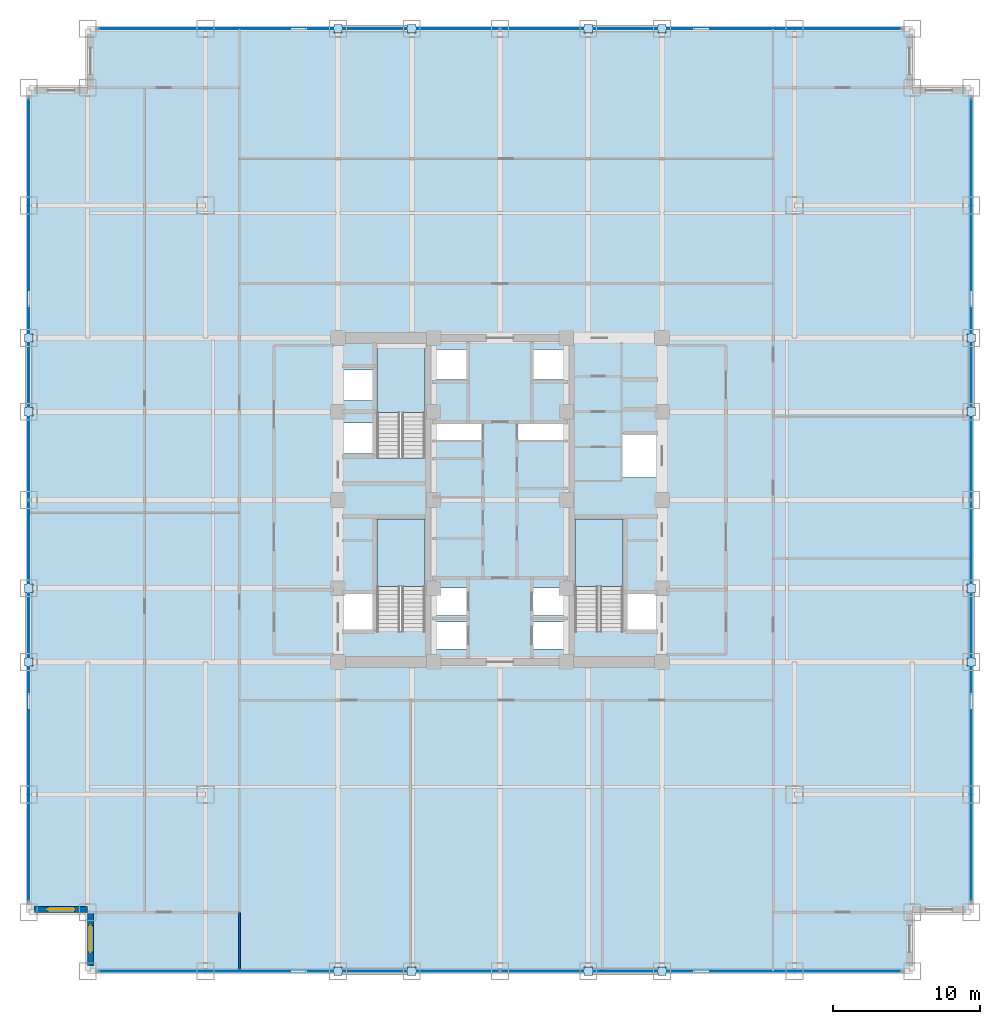
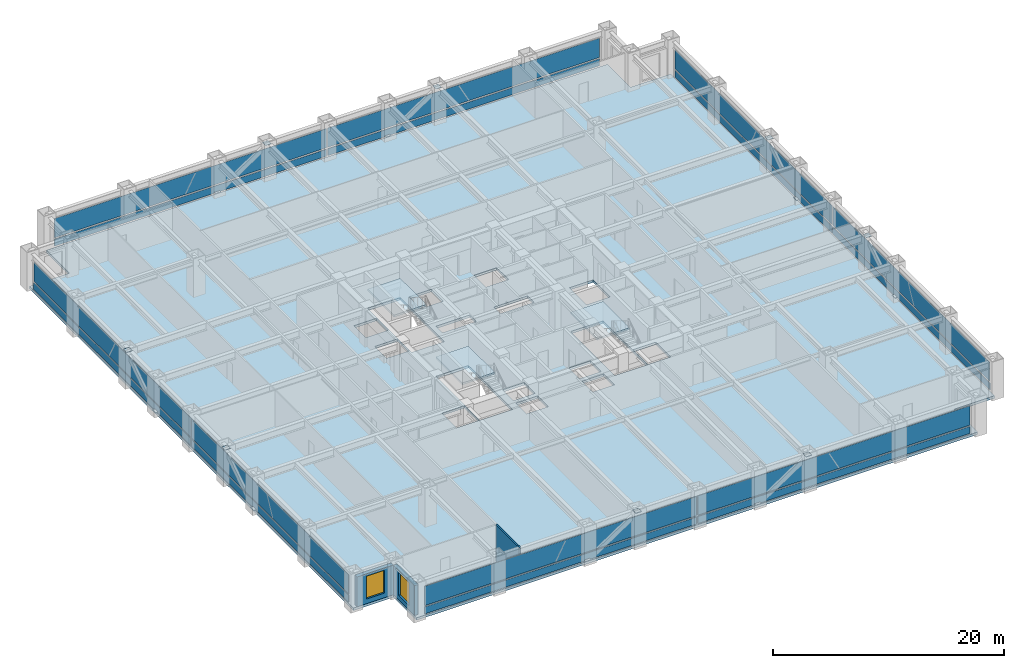
# One storey, part 22 of 27: 32 plates, 4 slabs, 3 walls, 2 windows, 2 openings, 7 elements without a shape of their own.
"""IFC4 building model written with IfcOpenShell, lengths in metres."""

from ifc_helpers import new_model, si_unit, direction, frame, frame_2d, origin, origin_2d, place, context, subcontext, project, spatial, polyline, rectangle, outline, extrude, source, transform, mapped, material, layer, layer_set, type_object, element, fill, aggregate, save


model = new_model("IFC4")

# Units and contexts
model_context = context("Model", 3, precision=1e-05, world=origin(), true_north=direction((0.0, 1.0)))
body_context = subcontext(model_context, "Body", "Model", "MODEL_VIEW")
ifc_project = project(units=[si_unit("LENGTHUNIT", "METRE"), si_unit("AREAUNIT", "SQUARE_METRE"), si_unit("VOLUMEUNIT", "CUBIC_METRE"), si_unit("PLANEANGLEUNIT", "RADIAN"), si_unit("MASSUNIT", "GRAM", prefix="KILO")], contexts=[model_context])

# Site, building, storey
site_placement = place(None, origin())
site = spatial("IfcSite", under=ifc_project, at=site_placement, CompositionType="ELEMENT")
building_placement = place(site_placement, origin())
building = spatial("IfcBuilding", under=site, at=building_placement, Name="Khorayat Bourse Tower", CompositionType="ELEMENT")
storey_placement = place(building_placement, frame((0.0, 0.0, 111.89990234375)))
storey = spatial("IfcBuildingStorey", under=building, at=storey_placement, Name="L25", CompositionType="ELEMENT", Elevation=111.89990234375)

# Stair, slab
ifc_material_1 = material(Name="Concrete C40/50", Category="concrete")
stair_type = type_object("IfcStairType", Name="STR-CORE-1550", PredefinedType="HALF_TURN_STAIR", material=ifc_material_1)
stair_1_placement = place(storey_placement, origin())
stair_1 = element("IfcStair", 1, at=stair_1_placement, inside=storey, type_object=stair_type, Name="L25 Exit Stair ST-1", PredefinedType="HALF_TURN_STAIR")
ifc_layer_1 = layer(ifc_material_1, 0.199951171875)
ifc_layer_set_1 = layer_set([ifc_layer_1], Name="Concrete C40/50")
slab_type_1 = type_object("IfcSlabType", Name="SLB-LANDING-200", PredefinedType="LANDING", material=ifc_layer_set_1)
slab_1_placement = place(storey_placement, frame((0.0, 0.0, 1.85009765625)))
slab_1 = element("IfcSlab", 2, at=slab_1_placement, type_object=slab_type_1, Name="ST-1 landing 1", PredefinedType="LANDING", context=body_context, shape_type="SweptSolid", body=[
    extrude(outline(polyline([(-5.10009765625, -5.8701171875), (-5.10009765625, -1.300048828125), (-8.35009765625, -1.300048828125), (-8.35009765625, -5.8701171875), (-5.10009765625, -5.8701171875)])), origin(), (0.0, 0.0, 1.0), 0.199951171875),
])
aggregate(stair_1, [slab_1])

stair_2_placement = place(storey_placement, origin())
stair_2 = element("IfcStair", 3, at=stair_2_placement, inside=storey, type_object=stair_type, Name="L25 Exit Stair ST-2", PredefinedType="HALF_TURN_STAIR")
slab_2_placement = place(storey_placement, frame((0.0, 0.0, 1.85009765625)))
slab_2 = element("IfcSlab", 4, at=slab_2_placement, type_object=slab_type_1, Name="ST-2 landing 1", PredefinedType="LANDING", context=body_context, shape_type="SweptSolid", body=[
    extrude(outline(polyline([(-5.10009765625, 5.929931640625), (-5.10009765625, 10.5), (-8.35009765625, 10.5), (-8.35009765625, 5.929931640625), (-5.10009765625, 5.929931640625)])), origin(), (0.0, 0.0, 1.0), 0.199951171875),
])
aggregate(stair_2, [slab_2])

stair_3_placement = place(storey_placement, origin())
stair_3 = element("IfcStair", 5, at=stair_3_placement, inside=storey, type_object=stair_type, Name="L25 Exit Stair ST-3", PredefinedType="HALF_TURN_STAIR")
slab_3_placement = place(storey_placement, frame((0.0, 0.0, 1.85009765625)))
slab_3 = element("IfcSlab", 6, at=slab_3_placement, type_object=slab_type_1, Name="ST-3 landing 1", PredefinedType="LANDING", context=body_context, shape_type="SweptSolid", body=[
    extrude(outline(polyline([(8.35009765625, -5.8701171875), (8.35009765625, -1.300048828125), (5.10009765625, -1.300048828125), (5.10009765625, -5.8701171875), (8.35009765625, -5.8701171875)])), origin(), (0.0, 0.0, 1.0), 0.199951171875),
])
aggregate(stair_3, [slab_3])

# Slab
ifc_layer_2 = layer(ifc_material_1, 0.260009765625)
ifc_layer_set_2 = layer_set([ifc_layer_2], Name="Concrete C40/50")
slab_type_2 = type_object("IfcSlabType", Name="SLB-TRADE-260", PredefinedType="FLOOR", material=ifc_layer_set_2)
slab_4_placement = place(storey_placement, frame((0.0, 0.0, -0.260009765625)))
element("IfcSlab", 7, at=slab_4_placement, inside=storey, type_object=slab_type_2, Name="L25 Main Floor Slab", PredefinedType="FLOOR", context=body_context, shape_type="SweptSolid", body=[
    extrude(outline(polyline([(-28.0, -32.0), (28.0, -32.0), (28.0, -28.0), (32.0, -28.0), (32.0, 28.0), (28.0, 28.0), (28.0, 32.0), (-28.0, 32.0), (-28.0, 28.0), (-32.0, 28.0), (-32.0, -28.0), (-28.0, -28.0), (-28.0, -32.0)]), holes=[polyline([(-8.35009765625, -8.945068359375), (-5.10009765625, -8.945068359375), (-5.10009765625, -1.300048828125), (-8.35009765625, -1.300048828125), (-8.35009765625, -8.945068359375)]), polyline([(-8.35009765625, 2.85498046875), (-5.10009765625, 2.85498046875), (-5.10009765625, 10.5), (-8.35009765625, 10.5), (-8.35009765625, 2.85498046875)]), polyline([(5.10009765625, -8.945068359375), (8.35009765625, -8.945068359375), (8.35009765625, -1.300048828125), (5.10009765625, -1.300048828125), (5.10009765625, -8.945068359375)]), polyline([(-4.3798828125, -10.1298828125), (-2.219970703125, -10.1298828125), (-2.219970703125, -8.27001953125), (-4.3798828125, -8.27001953125), (-4.3798828125, -10.1298828125)]), polyline([(2.219970703125, -10.1298828125), (4.3798828125, -10.1298828125), (4.3798828125, -8.27001953125), (2.219970703125, -8.27001953125), (2.219970703125, -10.1298828125)]), polyline([(-4.3798828125, -7.830078125), (-2.219970703125, -7.830078125), (-2.219970703125, -5.969970703125), (-4.3798828125, -5.969970703125), (-4.3798828125, -7.830078125)]), polyline([(2.219970703125, -7.830078125), (4.3798828125, -7.830078125), (4.3798828125, -5.969970703125), (2.219970703125, -5.969970703125), (2.219970703125, -7.830078125)]), polyline([(-4.3798828125, 8.169921875), (-2.1201171875, 8.169921875), (-2.1201171875, 10.22998046875), (-4.3798828125, 10.22998046875), (-4.3798828125, 8.169921875)]), polyline([(2.1201171875, 8.169921875), (4.3798828125, 8.169921875), (4.3798828125, 10.22998046875), (2.1201171875, 10.22998046875), (2.1201171875, 8.169921875)]), polyline([(-10.679931640625, 3.169921875), (-8.419921875, 3.169921875), (-8.419921875, 5.22998046875), (-10.679931640625, 5.22998046875), (-10.679931640625, 3.169921875)]), polyline([(-10.679931640625, 6.77001953125), (-8.419921875, 6.77001953125), (-8.419921875, 8.830078125), (-10.679931640625, 8.830078125), (-10.679931640625, 6.77001953125)]), polyline([(-10.679931640625, -8.929931640625), (-8.419921875, -8.929931640625), (-8.419921875, -6.3701171875), (-10.679931640625, -6.3701171875), (-10.679931640625, -8.929931640625)]), polyline([(8.419921875, -8.929931640625), (10.679931640625, -8.929931640625), (10.679931640625, -6.3701171875), (8.419921875, -6.3701171875), (8.419921875, -8.929931640625)]), polyline([(8.320068359375, 1.52001953125), (10.679931640625, 1.52001953125), (10.679931640625, 4.47998046875), (8.320068359375, 4.47998046875), (8.320068359375, 1.52001953125)]), polyline([(-4.56005859375, 4.080078125), (-1.18994140625, 4.080078125), (-1.18994140625, 5.219970703125), (-4.56005859375, 5.219970703125), (-4.56005859375, 4.080078125)]), polyline([(1.18994140625, 4.080078125), (4.56005859375, 4.080078125), (4.56005859375, 5.219970703125), (1.18994140625, 5.219970703125), (1.18994140625, 4.080078125)])]), origin(), (0.0, 0.0, 1.0), 0.260009765625),
])

# Plates
ifc_material_2 = material(Name="Steel EN 10025-2 S355J2", Category="steel")
ifc_layer_3 = layer(ifc_material_2, 0.02490234375)
ifc_layer_set_3 = layer_set([ifc_layer_3], Name="Steel EN 10025-2 S355J2")
plate_type_1 = type_object("IfcPlateType", Name="PLT-ENDCAP-25", PredefinedType="SHEET", material=ifc_layer_set_3)
shared_shape_1 = source(origin(), body_context, "Body", "SweptSolid", [
    extrude(rectangle(XDim=0.56005859375, YDim=0.56005859375, at=origin_2d()), origin(), (0.0, 0.0, 1.0), 0.02490234375),
])
for number, where, z_axis, x_axis, name in (
    (8, (-11.0, -32.0, 0.237548828125), (0.0, 0.0, 1.0), (1.0, 0.0, 0.0), "L25 Perimeter Brace End Plate 001"),
    (9, (-6.0, -32.0, 3.57763671875), (0.0, 0.0, 1.0), (1.0, 0.0, 0.0), "L25 Perimeter Brace End Plate 002"),
    (10, (6.0, -32.0, 0.237548828125), (0.0, 0.0, 1.0), (1.0, 0.0, 0.0), "L25 Perimeter Brace End Plate 003"),
    (11, (11.0, -32.0, 3.57763671875), (0.0, 0.0, 1.0), (1.0, 0.0, 0.0), "L25 Perimeter Brace End Plate 004"),
    (12, (-11.0, 32.0, 0.237548828125), (0.0, 0.0, 1.0), (1.0, 0.0, 0.0), "L25 Perimeter Brace End Plate 005"),
    (13, (-6.0, 32.0, 3.57763671875), (0.0, 0.0, 1.0), (1.0, 0.0, 0.0), "L25 Perimeter Brace End Plate 006"),
    (14, (6.0, 32.0, 0.237548828125), (0.0, 0.0, 1.0), (1.0, 0.0, 0.0), "L25 Perimeter Brace End Plate 007"),
    (15, (11.0, 32.0, 3.57763671875), (0.0, 0.0, 1.0), (1.0, 0.0, 0.0), "L25 Perimeter Brace End Plate 008"),
    (16, (-32.0, -11.0, 0.237548828125), (0.0, 0.0, 1.0), (1.0, 0.0, 0.0), "L25 Perimeter Brace End Plate 009"),
    (17, (-32.0, -6.0, 3.57763671875), (0.0, 0.0, 1.0), (1.0, 0.0, 0.0), "L25 Perimeter Brace End Plate 010"),
    (18, (-32.0, 6.0, 0.237548828125), (0.0, 0.0, 1.0), (1.0, 0.0, 0.0), "L25 Perimeter Brace End Plate 011"),
    (19, (-32.0, 11.0, 3.57763671875), (0.0, 0.0, 1.0), (1.0, 0.0, 0.0), "L25 Perimeter Brace End Plate 012"),
    (20, (32.0, -11.0, 0.237548828125), (0.0, 0.0, 1.0), (1.0, 0.0, 0.0), "L25 Perimeter Brace End Plate 013"),
    (21, (32.0, -6.0, 3.57763671875), (0.0, 0.0, 1.0), (1.0, 0.0, 0.0), "L25 Perimeter Brace End Plate 014"),
    (22, (32.0, 6.0, 0.237548828125), (0.0, 0.0, 1.0), (1.0, 0.0, 0.0), "L25 Perimeter Brace End Plate 015"),
    (23, (32.0, 11.0, 3.57763671875), (0.0, 0.0, 1.0), (1.0, 0.0, 0.0), "L25 Perimeter Brace End Plate 016"),
):
    element("IfcPlate", number, at=place(storey_placement, frame(where, z_axis=z_axis, x_axis=x_axis)), inside=storey, type_object=plate_type_1, Name=name, PredefinedType="SHEET", context=body_context, shape_type="MappedRepresentation", body=[
        mapped(shared_shape_1, transform((0.0, 0.0, 0.0), scale=1.0)),
    ])

# Curtain wall, plates
ifc_material_3 = material(Name="Aluminium EN AW-6063 T6", Category="aluminium")
curtain_wall_type = type_object("IfcCurtainWallType", Name="CW-SYS-02", PredefinedType="NOTDEFINED", material=ifc_material_3)
curtain_wall_1_placement = place(storey_placement, origin())
curtain_wall_1 = element("IfcCurtainWall", 24, at=curtain_wall_1_placement, inside=storey, type_object=curtain_wall_type, Name="L25 Curtain Wall CW-L25-S1", PredefinedType="NOTDEFINED")
ifc_material_4 = material(Name="Honed desert limestone insulated spandrel", Category="masonry")
ifc_layer_4 = layer(ifc_material_4, 0.06494140625)
ifc_layer_set_4 = layer_set([ifc_layer_4], Name="Honed desert limestone insulated spandrel")
plate_type_2 = type_object("IfcPlateType", Name="CWP-SPAND-03", PredefinedType="CURTAIN_PANEL", material=ifc_layer_set_4)
shared_shape_2 = source(origin(), body_context, "Body", "SweptSolid", [
    extrude(rectangle(XDim=27.139892578125, YDim=0.06494140625, at=origin_2d()), origin(), (0.0, 0.0, 1.0), 0.739990234375),
])
plate_1_placement = place(storey_placement, frame((-13.639892578125, -32.0, 0.14013671875), z_axis=(0.0, 0.0, 1.0), x_axis=(1.0, 0.0, 0.0)))
plate_1 = element("IfcPlate", 25, at=plate_1_placement, type_object=plate_type_2, Name="CW-L25-S1 Spandrel Panel 1-1", PredefinedType="CURTAIN_PANEL", context=body_context, shape_type="MappedRepresentation", body=[
    mapped(shared_shape_2, transform((0.0, 0.0, 0.0), scale=1.0)),
])
plate_2_placement = place(storey_placement, frame((13.639892578125, -32.0, 0.14013671875), z_axis=(0.0, 0.0, 1.0), x_axis=(1.0, 0.0, 0.0)))
plate_2 = element("IfcPlate", 26, at=plate_2_placement, type_object=plate_type_2, Name="CW-L25-S1 Spandrel Panel 2-1", PredefinedType="CURTAIN_PANEL", context=body_context, shape_type="MappedRepresentation", body=[
    mapped(shared_shape_2, transform((0.0, 0.0, 0.0), scale=1.0)),
])

curtain_wall_2_placement = place(storey_placement, origin())
curtain_wall_2 = element("IfcCurtainWall", 27, at=curtain_wall_2_placement, inside=storey, type_object=curtain_wall_type, Name="L25 Curtain Wall CW-L25-N1", PredefinedType="NOTDEFINED")
plate_3_placement = place(storey_placement, frame((-13.639892578125, 32.0, 0.14013671875), z_axis=(0.0, 0.0, 1.0), x_axis=(1.0, 0.0, 0.0)))
plate_3 = element("IfcPlate", 28, at=plate_3_placement, type_object=plate_type_2, Name="CW-L25-N1 Spandrel Panel 1-1", PredefinedType="CURTAIN_PANEL", context=body_context, shape_type="MappedRepresentation", body=[
    mapped(shared_shape_2, transform((0.0, 0.0, 0.0), scale=1.0)),
])
plate_4_placement = place(storey_placement, frame((13.639892578125, 32.0, 0.14013671875), z_axis=(0.0, 0.0, 1.0), x_axis=(1.0, 0.0, 0.0)))
plate_4 = element("IfcPlate", 29, at=plate_4_placement, type_object=plate_type_2, Name="CW-L25-N1 Spandrel Panel 2-1", PredefinedType="CURTAIN_PANEL", context=body_context, shape_type="MappedRepresentation", body=[
    mapped(shared_shape_2, transform((0.0, 0.0, 0.0), scale=1.0)),
])

curtain_wall_3_placement = place(storey_placement, origin())
curtain_wall_3 = element("IfcCurtainWall", 30, at=curtain_wall_3_placement, inside=storey, type_object=curtain_wall_type, Name="L25 Curtain Wall CW-L25-W1", PredefinedType="NOTDEFINED")
plate_5_placement = place(storey_placement, frame((-32.0, -13.639892578125, 0.14013671875), z_axis=(0.0, 0.0, 1.0), x_axis=(0.0, 1.0, 0.0)))
plate_5 = element("IfcPlate", 31, at=plate_5_placement, type_object=plate_type_2, Name="CW-L25-W1 Spandrel Panel 1-1", PredefinedType="CURTAIN_PANEL", context=body_context, shape_type="MappedRepresentation", body=[
    mapped(shared_shape_2, transform((0.0, 0.0, 0.0), scale=1.0)),
])
plate_6_placement = place(storey_placement, frame((-32.0, 13.639892578125, 0.14013671875), z_axis=(0.0, 0.0, 1.0), x_axis=(0.0, 1.0, 0.0)))
plate_6 = element("IfcPlate", 32, at=plate_6_placement, type_object=plate_type_2, Name="CW-L25-W1 Spandrel Panel 2-1", PredefinedType="CURTAIN_PANEL", context=body_context, shape_type="MappedRepresentation", body=[
    mapped(shared_shape_2, transform((0.0, 0.0, 0.0), scale=1.0)),
])

curtain_wall_4_placement = place(storey_placement, origin())
curtain_wall_4 = element("IfcCurtainWall", 33, at=curtain_wall_4_placement, inside=storey, type_object=curtain_wall_type, Name="L25 Curtain Wall CW-L25-E1", PredefinedType="NOTDEFINED")
plate_7_placement = place(storey_placement, frame((32.0, -13.639892578125, 0.14013671875), z_axis=(0.0, 0.0, 1.0), x_axis=(0.0, 1.0, 0.0)))
plate_7 = element("IfcPlate", 34, at=plate_7_placement, type_object=plate_type_2, Name="CW-L25-E1 Spandrel Panel 1-1", PredefinedType="CURTAIN_PANEL", context=body_context, shape_type="MappedRepresentation", body=[
    mapped(shared_shape_2, transform((0.0, 0.0, 0.0), scale=1.0)),
])
plate_8_placement = place(storey_placement, frame((32.0, 13.639892578125, 0.14013671875), z_axis=(0.0, 0.0, 1.0), x_axis=(0.0, 1.0, 0.0)))
plate_8 = element("IfcPlate", 35, at=plate_8_placement, type_object=plate_type_2, Name="CW-L25-E1 Spandrel Panel 2-1", PredefinedType="CURTAIN_PANEL", context=body_context, shape_type="MappedRepresentation", body=[
    mapped(shared_shape_2, transform((0.0, 0.0, 0.0), scale=1.0)),
])

# Plate
ifc_material_5 = material(Name="Low-E solar-control laminated double glazing", Category="glass")
ifc_layer_5 = layer(ifc_material_5, 0.0419921875)
ifc_layer_set_5 = layer_set([ifc_layer_5], Name="Low-E solar-control laminated double glazing")
plate_type_3 = type_object("IfcPlateType", Name="CWP-FACET-02", PredefinedType="CURTAIN_PANEL", material=ifc_layer_set_5)
shared_shape_3 = source(origin(), body_context, "Body", "SweptSolid", [
    extrude(rectangle(XDim=27.139892578125, YDim=0.0419921875, at=origin_2d()), origin(), (0.0, 0.0, 1.0), 2.030029296875),
])
plate_9_placement = place(storey_placement, frame((-13.639892578125, -32.0, 1.02001953125), z_axis=(0.0, 0.0, 1.0), x_axis=(1.0, 0.0, 0.0)))
plate_9 = element("IfcPlate", 36, at=plate_9_placement, type_object=plate_type_3, Name="CW-L25-S1 Vision Panel 1-2", PredefinedType="CURTAIN_PANEL", context=body_context, shape_type="MappedRepresentation", body=[
    mapped(shared_shape_3, transform((0.0, 0.0, 0.0), scale=1.0)),
])

plate_10_placement = place(storey_placement, frame((13.639892578125, -32.0, 1.02001953125), z_axis=(0.0, 0.0, 1.0), x_axis=(1.0, 0.0, 0.0)))
plate_10 = element("IfcPlate", 37, at=plate_10_placement, type_object=plate_type_3, Name="CW-L25-S1 Vision Panel 2-2", PredefinedType="CURTAIN_PANEL", context=body_context, shape_type="MappedRepresentation", body=[
    mapped(shared_shape_3, transform((0.0, 0.0, 0.0), scale=1.0)),
])

aggregate(curtain_wall_1, [plate_1, plate_9, plate_2, plate_10])

plate_11_placement = place(storey_placement, frame((-13.639892578125, 32.0, 1.02001953125), z_axis=(0.0, 0.0, 1.0), x_axis=(1.0, 0.0, 0.0)))
plate_11 = element("IfcPlate", 38, at=plate_11_placement, type_object=plate_type_3, Name="CW-L25-N1 Vision Panel 1-2", PredefinedType="CURTAIN_PANEL", context=body_context, shape_type="MappedRepresentation", body=[
    mapped(shared_shape_3, transform((0.0, 0.0, 0.0), scale=1.0)),
])

plate_12_placement = place(storey_placement, frame((13.639892578125, 32.0, 1.02001953125), z_axis=(0.0, 0.0, 1.0), x_axis=(1.0, 0.0, 0.0)))
plate_12 = element("IfcPlate", 39, at=plate_12_placement, type_object=plate_type_3, Name="CW-L25-N1 Vision Panel 2-2", PredefinedType="CURTAIN_PANEL", context=body_context, shape_type="MappedRepresentation", body=[
    mapped(shared_shape_3, transform((0.0, 0.0, 0.0), scale=1.0)),
])

aggregate(curtain_wall_2, [plate_3, plate_11, plate_4, plate_12])

plate_13_placement = place(storey_placement, frame((-32.0, -13.639892578125, 1.02001953125), z_axis=(0.0, 0.0, 1.0), x_axis=(0.0, 1.0, 0.0)))
plate_13 = element("IfcPlate", 40, at=plate_13_placement, type_object=plate_type_3, Name="CW-L25-W1 Vision Panel 1-2", PredefinedType="CURTAIN_PANEL", context=body_context, shape_type="MappedRepresentation", body=[
    mapped(shared_shape_3, transform((0.0, 0.0, 0.0), scale=1.0)),
])

plate_14_placement = place(storey_placement, frame((-32.0, 13.639892578125, 1.02001953125), z_axis=(0.0, 0.0, 1.0), x_axis=(0.0, 1.0, 0.0)))
plate_14 = element("IfcPlate", 41, at=plate_14_placement, type_object=plate_type_3, Name="CW-L25-W1 Vision Panel 2-2", PredefinedType="CURTAIN_PANEL", context=body_context, shape_type="MappedRepresentation", body=[
    mapped(shared_shape_3, transform((0.0, 0.0, 0.0), scale=1.0)),
])

aggregate(curtain_wall_3, [plate_5, plate_13, plate_6, plate_14])

plate_15_placement = place(storey_placement, frame((32.0, -13.639892578125, 1.02001953125), z_axis=(0.0, 0.0, 1.0), x_axis=(0.0, 1.0, 0.0)))
plate_15 = element("IfcPlate", 42, at=plate_15_placement, type_object=plate_type_3, Name="CW-L25-E1 Vision Panel 1-2", PredefinedType="CURTAIN_PANEL", context=body_context, shape_type="MappedRepresentation", body=[
    mapped(shared_shape_3, transform((0.0, 0.0, 0.0), scale=1.0)),
])

plate_16_placement = place(storey_placement, frame((32.0, 13.639892578125, 1.02001953125), z_axis=(0.0, 0.0, 1.0), x_axis=(0.0, 1.0, 0.0)))
plate_16 = element("IfcPlate", 43, at=plate_16_placement, type_object=plate_type_3, Name="CW-L25-E1 Vision Panel 2-2", PredefinedType="CURTAIN_PANEL", context=body_context, shape_type="MappedRepresentation", body=[
    mapped(shared_shape_3, transform((0.0, 0.0, 0.0), scale=1.0)),
])

aggregate(curtain_wall_4, [plate_7, plate_15, plate_8, plate_16])

# Wall, opening, window
ifc_material_6 = material(Name="Precast concrete C45/55", Category="concrete")
ifc_layer_6 = layer(ifc_material_6, 0.3798828125)
ifc_layer_set_6 = layer_set([ifc_layer_6], Name="Precast concrete C45/55")
wall_type_1 = type_object("IfcWallType", Name="WAL-EXT-STONE-380", PredefinedType="STANDARD", material=ifc_layer_set_6)
shared_shape_4 = source(origin(), body_context, "Body", "SweptSolid", [
    extrude(rectangle(XDim=3.6201171875, YDim=0.3798828125, at=frame_2d((1.81005859375, 0.0))), origin(), (0.0, 0.0, 1.0), 3.14501953125),
])
wall_1_placement = place(storey_placement, frame((-28.0, -27.81005859375, 0.0), z_axis=(0.0, 0.0, 1.0), x_axis=(-1.0, 0.0, 0.0)))
wall_1 = element("IfcWall", 44, at=wall_1_placement, inside=storey, type_object=wall_type_1, Name="L25 Re-Entrant Notch Limestone Wall SW-H", PredefinedType="STANDARD", context=body_context, shape_type="MappedRepresentation", body=[
    mapped(shared_shape_4, transform((0.0, 0.0, 0.0), scale=1.0)),
])
shared_shape_5 = source(origin(), body_context, "Body", "SweptSolid", [
    extrude(rectangle(XDim=1.800048828125, YDim=2.39990234375, at=frame_2d((0.89990234375, 1.199951171875))), frame((0.0, 0.199951171875, 0.0), z_axis=(0.0, -1.0, 0.0), x_axis=(1.0, 0.0, 0.0)), (0.0, 0.0, 1.0), 0.39990234375),
])
opening_1_placement = place(wall_1_placement, frame((0.909912109375, 0.0, 0.5)))
opening_1 = element("IfcOpeningElement", 45, at=opening_1_placement, cuts=wall_1, Name="Opening WN-04", PredefinedType="OPENING", context=body_context, shape_type="MappedRepresentation", body=[
    mapped(shared_shape_5, transform((0.0, 0.0, 0.0), scale=1.0)),
])
ifc_material_7 = material(Name="Low-E acoustic laminated double glazing", Category="glass")
window_type = type_object("IfcWindowType", Name="WIN-NOTCH-1800x2400", PartitioningType="SINGLE_PANEL", PredefinedType="WINDOW", material=ifc_material_7)
shared_shape_6 = source(origin(), body_context, "Body", "SweptSolid", [
    extrude(rectangle(XDim=1.800048828125, YDim=2.39990234375, at=frame_2d((0.89990234375, 1.199951171875))), frame((0.0, 0.030029296875, 0.0), z_axis=(0.0, -1.0, 0.0), x_axis=(1.0, 0.0, 0.0)), (0.0, 0.0, 1.0), 0.06005859375),
])
window_1_placement = place(opening_1_placement, origin())
window_1 = element("IfcWindow", 46, at=window_1_placement, inside=storey, type_object=window_type, Name="L25 Facade Window 1", OverallHeight=2.39990234375, OverallWidth=1.800048828125, PartitioningType="SINGLE_PANEL", PredefinedType="WINDOW", context=body_context, shape_type="MappedRepresentation", body=[
    mapped(shared_shape_6, transform((0.0, 0.0, 0.0), scale=1.0)),
])
fill(opening_1, window_1)

wall_2_placement = place(storey_placement, frame((-27.81005859375, -31.6201171875, 0.0), z_axis=(0.0, 0.0, 1.0), x_axis=(0.0, 1.0, 0.0)))
wall_2 = element("IfcWall", 47, at=wall_2_placement, inside=storey, type_object=wall_type_1, Name="L25 Re-Entrant Notch Limestone Wall SW-V", PredefinedType="STANDARD", context=body_context, shape_type="MappedRepresentation", body=[
    mapped(shared_shape_4, transform((0.0, 0.0, 0.0), scale=1.0)),
])
opening_2_placement = place(wall_2_placement, frame((0.909912109375, 0.0, 0.5)))
opening_2 = element("IfcOpeningElement", 48, at=opening_2_placement, cuts=wall_2, Name="Opening WN-04", PredefinedType="OPENING", context=body_context, shape_type="MappedRepresentation", body=[
    mapped(shared_shape_5, transform((0.0, 0.0, 0.0), scale=1.0)),
])
window_2_placement = place(opening_2_placement, origin())
window_2 = element("IfcWindow", 49, at=window_2_placement, inside=storey, type_object=window_type, Name="L25 Facade Window 1", OverallHeight=2.39990234375, OverallWidth=1.800048828125, PartitioningType="SINGLE_PANEL", PredefinedType="WINDOW", context=body_context, shape_type="MappedRepresentation", body=[
    mapped(shared_shape_6, transform((0.0, 0.0, 0.0), scale=1.0)),
])
fill(opening_2, window_2)

# Wall
ifc_material_8 = material(Name="Gypsum plasterboard twin-frame partition")
ifc_layer_7 = layer(ifc_material_8, 0.14990234375)
ifc_layer_set_7 = layer_set([ifc_layer_7], Name="Gypsum plasterboard twin-frame partition")
wall_type_2 = type_object("IfcWallType", Name="WAL-PART-SUITE-150", PredefinedType="PARTITIONING", material=ifc_layer_set_7)
shared_shape_7 = source(origin(), body_context, "Body", "SweptSolid", [
    extrude(rectangle(XDim=4.0, YDim=0.14990234375, at=frame_2d((2.0, 0.0))), origin(), (0.0, 0.0, 1.0), 3.840087890625),
])
wall_3_placement = place(storey_placement, frame((-17.699951171875, -32.0, 0.0), z_axis=(0.0, 0.0, 1.0), x_axis=(0.0, 1.0, 0.0)))
element("IfcWall", 50, at=wall_3_placement, inside=storey, type_object=wall_type_2, Name="L25 Partition WAL-L25-SCW-END", PredefinedType="PARTITIONING", context=body_context, shape_type="MappedRepresentation", body=[
    mapped(shared_shape_7, transform((0.0, 0.0, 0.0), scale=1.0)),
])

save(model, "model.ifc")
